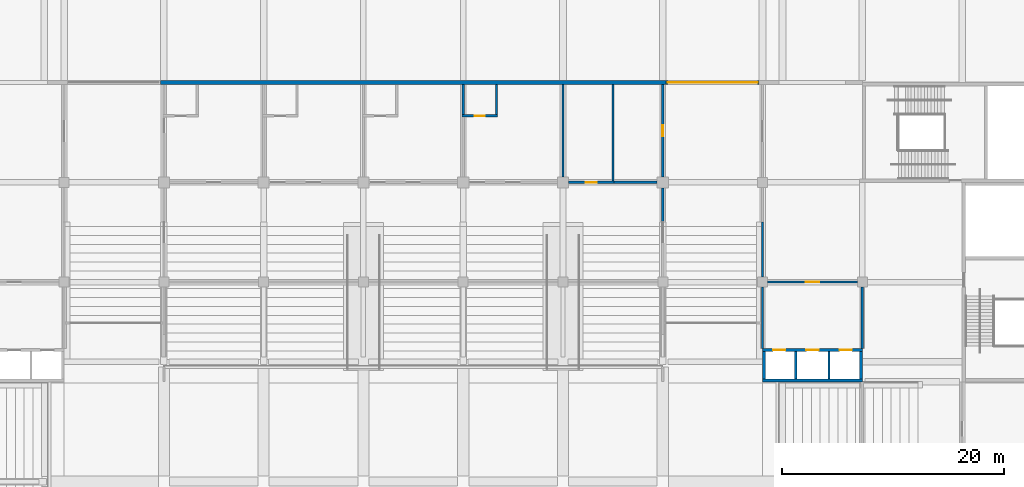
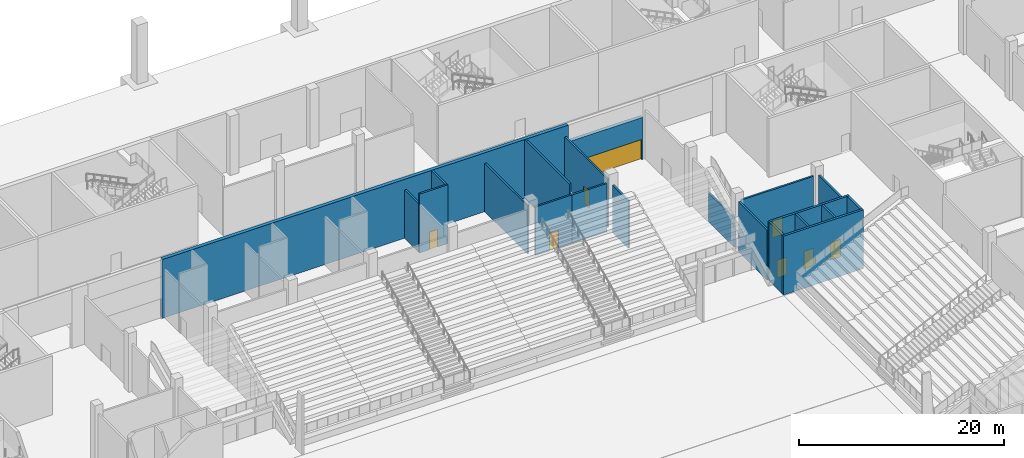
# One storey, part 36 of 92: 21 walls, 8 doors, 8 openings.
"""IFC4 building model written with IfcOpenShell, lengths in metres."""

import ifcopenshell
import ifcopenshell.guid

model = None  # the IFC model being written
_history = None  # IfcOwnerHistory: only IFC2X3 demands one
_inside = {}  # id of a spatial element -> (the spatial element, [elements in it])
_under = {}  # id of a project, library or spatial element -> (it, [spatial elements below it])
_declared = {}  # id of a project -> (the project, [libraries it declares])
_typed = {}  # id of a type object -> (the type object, [elements of that type])
_made_of = {}  # id of a material, layer set ... -> (it, [elements and type objects made of it])


def new_model(schema):
    """Start an empty IFC model of exactly this schema.

    Asked for "IFC4X3", IfcOpenShell would pick the latest addendum, in which some entities
    have other attributes; the version numbers below select the first issue.
    IFC2X3 requires an IfcOwnerHistory on every rooted entity: one is made here for all.
    """
    global model, _history
    if schema == "IFC4X3":
        model = ifcopenshell.file(schema_version=(4, 3, 0, 0))
    else:
        model = ifcopenshell.file(schema=schema)
    _inside.clear()
    _under.clear()
    _declared.clear()
    _typed.clear()
    _made_of.clear()
    _history = None
    if model.schema == "IFC2X3":
        org = make("IfcOrganization", Name="unknown")
        user = make(
            "IfcPersonAndOrganization",
            ThePerson=make("IfcPerson", FamilyName="unknown"),
            TheOrganization=org,
        )
        app = make(
            "IfcApplication",
            ApplicationDeveloper=org,
            Version="unknown",
            ApplicationFullName="unknown",
            ApplicationIdentifier="unknown",
        )
        _history = make(
            "IfcOwnerHistory",
            OwningUser=user,
            OwningApplication=app,
            ChangeAction="ADDED",
            CreationDate=0,
        )
    return model


def make(cls, **values):
    """One entity of the class cls with the attributes given. An attribute that is None is left unset."""
    return model.create_entity(
        cls, **{name: value for name, value in values.items() if value is not None}
    )


def rooted(cls, **values):
    """An entity with a GlobalId (a new one), such as an element, a storey or a relation."""
    return make(cls, GlobalId=ifcopenshell.guid.new(), OwnerHistory=_history, **values)


def si_unit(unit_type, name, prefix=None):
    """IfcSIUnit, for example si_unit("LENGTHUNIT", "METRE", prefix="MILLI")."""
    return make("IfcSIUnit", UnitType=unit_type, Prefix=prefix, Name=name)


def assignment(units):
    """IfcUnitAssignment: the units of a project."""
    return None if units is None else make("IfcUnitAssignment", Units=units)


def point(xyz):
    """IfcCartesianPoint."""
    return None if xyz is None else make("IfcCartesianPoint", Coordinates=xyz)


def direction(xyz):
    """IfcDirection."""
    return None if xyz is None else make("IfcDirection", DirectionRatios=xyz)


def frame(location, z_axis=None, x_axis=None):
    """IfcAxis2Placement3D, a coordinate frame: its origin and axes. An axis left out is left unset."""
    return make(
        "IfcAxis2Placement3D",
        Location=point(location),
        Axis=direction(z_axis),
        RefDirection=direction(x_axis),
    )


def frame_2d(location, x_axis=None):
    """IfcAxis2Placement2D, a coordinate frame in the plane: its origin and x axis."""
    return make(
        "IfcAxis2Placement2D", Location=point(location), RefDirection=direction(x_axis)
    )


def origin():
    """The frame at (0, 0, 0) with its axes left unset."""
    return frame((0.0, 0.0, 0.0))


def place(relative_to, where):
    """IfcLocalPlacement: puts the frame where relative to a parent placement (None: the world)."""
    return make(
        "IfcLocalPlacement", PlacementRelTo=relative_to, RelativePlacement=where
    )


def context(
    kind, dimensions, precision=None, world=None, true_north=None, identifier=None
):
    """IfcGeometricRepresentationContext, for example the 3D "Model" context."""
    return make(
        "IfcGeometricRepresentationContext",
        ContextIdentifier=identifier,
        ContextType=kind,
        CoordinateSpaceDimension=dimensions,
        Precision=precision,
        WorldCoordinateSystem=world,
        TrueNorth=true_north,
    )


def subcontext(parent, identifier, kind, view, scale=None):
    """IfcGeometricRepresentationSubContext, for example "Body" below "Model"."""
    return make(
        "IfcGeometricRepresentationSubContext",
        ContextIdentifier=identifier,
        ContextType=kind,
        ParentContext=parent,
        TargetScale=scale,
        TargetView=view,
    )


def project(units=None, contexts=None):
    """IfcProject with its units and contexts."""
    return rooted(
        "IfcProject",
        Name="project",
        RepresentationContexts=contexts,
        UnitsInContext=assignment(units),
    )


def spatial(cls, under=None, at=None, **own):
    """A site, building, storey or space (cls), placed at a placement, below another one or the project."""
    s = rooted(cls, ObjectPlacement=at, **own)
    if under is not None:
        _under.setdefault(under.id(), (under, []))[1].append(s)
    return s


def profile(cls, at=None, kind="AREA", **sizes):
    """A parametric profile (cls). Its sizes go by their IFC names, for example OverallWidth=200.0."""
    return make(cls, ProfileType=kind, Position=at, **sizes)


def rectangle(**sizes):
    """IfcRectangleProfileDef."""
    return profile("IfcRectangleProfileDef", **sizes)


def extrude(swept, where, along, depth):
    """IfcExtrudedAreaSolid: the profile swept, set in the frame where, extruded along a direction by depth."""
    return make(
        "IfcExtrudedAreaSolid",
        SweptArea=swept,
        Position=where,
        ExtrudedDirection=direction(along),
        Depth=depth,
    )


def shape(context_of_items, identifier, shape_type, items):
    """IfcShapeRepresentation: the items that make up one representation, for example the "Body"."""
    return make(
        "IfcShapeRepresentation",
        ContextOfItems=context_of_items,
        RepresentationIdentifier=identifier,
        RepresentationType=shape_type,
        Items=items,
    )


def material(Name=None, Category=None):
    """IfcMaterial."""
    return make("IfcMaterial", Name=Name, Category=Category)


def layer(
    of_material, thickness, ventilated=None, Name=None, Category=None, Priority=None
):
    """IfcMaterialLayer: one layer of a wall or slab, of a material (None: an air gap)."""
    return make(
        "IfcMaterialLayer",
        Material=of_material,
        LayerThickness=thickness,
        IsVentilated=ventilated,
        Name=Name,
        Category=Category,
        Priority=Priority,
    )


def layer_set(layers, Name=None):
    """IfcMaterialLayerSet."""
    return make("IfcMaterialLayerSet", MaterialLayers=layers, LayerSetName=Name)


def made_of(thing, what):
    """Note that an element or type object is made of a material, layer set ...; save() writes the relation."""
    if what is not None:
        _made_of.setdefault(what.id(), (what, []))[1].append(thing)
    return thing


def type_object(cls, material=None, **own):
    """A type object (cls), such as IfcWallType, which elements share."""
    return made_of(rooted(cls, **own), material)


def element(
    cls,
    number,
    at=None,
    inside=None,
    cuts=None,
    type_object=None,
    material=None,
    context=None,
    identifier="Body",
    shape_type=None,
    held_by="IfcProductDefinitionShape",
    body=None,
    shapes=None,
    **own,
):
    """One element of the class cls, such as IfcWall. Its Tag is "e" and its number.

    at: its placement. inside: the storey or other place that contains it. cuts: it is an
    opening in that element (IfcRelVoidsElement). A single representation is given by context,
    identifier, shape_type and body (its items); several are given by shapes. held_by: the class
    of the entity that holds the representations. save() writes the other relations.
    """
    e = rooted(cls, Tag="e%d" % number, ObjectPlacement=at, **own)
    if body is not None:
        shapes = [shape(context, identifier, shape_type, body)]
    if shapes is not None:
        e.Representation = make(held_by, Representations=shapes)
    if inside is not None:
        _inside.setdefault(inside.id(), (inside, []))[1].append(e)
    if cuts is not None:
        rooted(
            "IfcRelVoidsElement", RelatingBuildingElement=cuts, RelatedOpeningElement=e
        )
    if type_object is not None:
        _typed.setdefault(type_object.id(), (type_object, []))[1].append(e)
    return made_of(e, material)


def fill(opening, filler):
    """IfcRelFillsElement: the door or window that sits in an opening."""
    return rooted(
        "IfcRelFillsElement",
        RelatingOpeningElement=opening,
        RelatedBuildingElement=filler,
    )


def aggregate(whole, parts):
    """IfcRelAggregates: a whole, such as a stair, and the parts it consists of."""
    return rooted("IfcRelAggregates", RelatingObject=whole, RelatedObjects=parts)


def save(model, path):
    """Write the relations noted so far, then the file.

    IfcRelAggregates (storeys below a building ...), IfcRelContainedInSpatialStructure (elements
    in a storey), IfcRelDefinesByType, IfcRelAssociatesMaterial and IfcRelDeclares: one each for
    every whole, place, type object, material and project.
    """
    for whole, parts in _under.values():
        aggregate(whole, parts)
    for where, things in _inside.values():
        rooted(
            "IfcRelContainedInSpatialStructure",
            RelatedElements=things,
            RelatingStructure=where,
        )
    for kind, things in _typed.values():
        rooted("IfcRelDefinesByType", RelatedObjects=things, RelatingType=kind)
    for what, things in _made_of.values():
        rooted("IfcRelAssociatesMaterial", RelatedObjects=things, RelatingMaterial=what)
    for by, libraries in _declared.values():
        rooted("IfcRelDeclares", RelatingContext=by, RelatedDefinitions=libraries)
    model.write(path)


model = new_model("IFC4")

# Units and contexts
model_context = context("Model", 3, precision=1e-05, world=origin(), true_north=direction((0.0, 1.0)))
body_context = subcontext(model_context, "Body", "Model", "MODEL_VIEW")
ifc_project = project(units=[si_unit("LENGTHUNIT", "METRE"), si_unit("AREAUNIT", "SQUARE_METRE"), si_unit("VOLUMEUNIT", "CUBIC_METRE"), si_unit("PLANEANGLEUNIT", "RADIAN"), si_unit("MASSUNIT", "GRAM", prefix="KILO")], contexts=[model_context])

# Site, building, storey
site_placement = place(None, origin())
site = spatial("IfcSite", under=ifc_project, at=site_placement, CompositionType="ELEMENT")
building_placement = place(site_placement, origin())
building = spatial("IfcBuilding", under=site, at=building_placement, Name="Silverbay Arena", CompositionType="ELEMENT")
storey_placement = place(building_placement, origin())
storey = spatial("IfcBuildingStorey", under=building, at=storey_placement, Name="L00", CompositionType="ELEMENT", Elevation=0.0)

# Wall, opening, door
ifc_material_1 = material(Name="Concrete Grade C45", Category="concrete")
ifc_layer_1 = layer(ifc_material_1, 0.39990234375)
ifc_layer_set_1 = layer_set([ifc_layer_1], Name="Concrete Grade C45")
wall_type_1 = type_object("IfcWallType", Name="Bowl enclosure wall RC 400 EI 120", PredefinedType="SOLIDWALL", material=ifc_layer_set_1)
wall_1_placement = place(storey_placement, frame((153.300048828125, 126.0, 0.0), z_axis=(0.0, 0.0, 1.0), x_axis=(1.0, 0.0, 0.0)))
wall_1 = element("IfcWall", 1, at=wall_1_placement, inside=storey, type_object=wall_type_1, Name="tunnel floor tunnel NE", PredefinedType="SOLIDWALL", context=body_context, shape_type="SweptSolid", body=[
    extrude(rectangle(XDim=8.39990234375, YDim=0.39990234375, at=frame_2d((4.199951171875, 0.0))), origin(), (0.0, 0.0, 1.0), 5.0),
])
opening_1_placement = place(wall_1_placement, frame((0.14990234375, 0.0, 0.0)))
opening_1 = element("IfcOpeningElement", 2, at=opening_1_placement, cuts=wall_1, Name="Opening L00-227", PredefinedType="OPENING", context=body_context, shape_type="SweptSolid", body=[
    extrude(rectangle(XDim=8.10009765625, YDim=2.39990234375, at=frame_2d((4.050048828125, 1.199951171875))), frame((0.0, 0.2099609375, 0.0), z_axis=(0.0, -1.0, 0.0), x_axis=(1.0, 0.0, 0.0)), (0.0, 0.0, 1.0), 0.419921875),
])
ifc_material_2 = material(Name="Steel", Category="steel")
door_type_1 = type_object("IfcDoorType", Name="Fire door set 8100 x 2400 FD120S tunnel", OperationType="DOUBLE_DOOR_SINGLE_SWING", PredefinedType="DOOR", material=ifc_material_2)
door_1_placement = place(opening_1_placement, origin())
door_1 = element("IfcDoor", 3, at=door_1_placement, inside=storey, type_object=door_type_1, Name="Fire door set L00 tunnel floor tunnel NE", OperationType="DOUBLE_DOOR_SINGLE_SWING", OverallHeight=2.39990234375, OverallWidth=8.10009765625, PredefinedType="DOOR", context=body_context, shape_type="SweptSolid", body=[
    extrude(rectangle(XDim=8.10009765625, YDim=2.39990234375, at=frame_2d((4.050048828125, 1.199951171875))), frame((0.0, 0.02490234375, 0.0), z_axis=(0.0, -1.0, 0.0), x_axis=(1.0, 0.0, 0.0)), (0.0, 0.0, 1.0), 0.050048828125),
])
fill(opening_1, door_1)

# Walls
ifc_material_3 = material(Name="Concrete Grade C45", Category="concrete")
ifc_layer_2 = layer(ifc_material_3, 0.199951171875)
ifc_layer_set_2 = layer_set([ifc_layer_2], Name="Concrete Grade C45")
wall_type_2 = type_object("IfcWallType", Name="Lift shaft divider RC 200 EI 120", PredefinedType="SHEAR", material=ifc_layer_set_2)
for number, where, z_axis, x_axis, name in (
    (4, (165.0, 99.25, 0.0), (0.0, 0.0, 1.0), (0.0, 1.0, 0.0), "Lift shaft divider LB-NE L00 1"),
    (5, (168.0, 99.25, 0.0), (0.0, 0.0, 1.0), (0.0, 1.0, 0.0), "Lift shaft divider LB-NE L00 2"),
):
    element("IfcWall", number, at=place(storey_placement, frame(where, z_axis=z_axis, x_axis=x_axis)), inside=storey, type_object=wall_type_2, Name=name, PredefinedType="SHEAR", context=body_context, shape_type="SweptSolid", body=[
        extrude(rectangle(XDim=2.5, YDim=0.199951171875, at=frame_2d((1.25, 0.0))), origin(), (0.0, 0.0, 1.0), 7.0),
    ])

# Wall, openings, doors
ifc_material_4 = material(Name="Concrete Grade C45", Category="concrete")
ifc_layer_3 = layer(ifc_material_4, 0.25)
ifc_layer_set_3 = layer_set([ifc_layer_3], Name="Concrete Grade C45")
wall_type_3 = type_object("IfcWallType", Name="Lift shaft wall RC 250 EI 120", PredefinedType="SHEAR", material=ifc_layer_set_3)
wall_2_placement = place(storey_placement, frame((162.0, 101.875, 0.0), z_axis=(0.0, 0.0, 1.0), x_axis=(1.0, 0.0, 0.0)))
wall_2 = element("IfcWall", 6, at=wall_2_placement, inside=storey, type_object=wall_type_3, Name="Lift shaft wall LB-NE L00 landing side", PredefinedType="SHEAR", context=body_context, shape_type="SweptSolid", body=[
    extrude(rectangle(XDim=9.0, YDim=0.25, at=frame_2d((4.5, 0.0))), origin(), (0.0, 0.0, 1.0), 7.0),
])
opening_2_placement = place(wall_2_placement, frame((0.949951171875, 0.0, 0.0)))
opening_2 = element("IfcOpeningElement", 7, at=opening_2_placement, cuts=wall_2, Name="Opening L00-211", PredefinedType="OPENING", context=body_context, shape_type="SweptSolid", body=[
    extrude(rectangle(XDim=1.10009765625, YDim=2.10009765625, at=frame_2d((0.550048828125, 1.050048828125))), frame((0.0, 0.135009765625, 0.0), z_axis=(0.0, -1.0, 0.0), x_axis=(1.0, 0.0, 0.0)), (0.0, 0.0, 1.0), 0.27001953125),
])
opening_3_placement = place(wall_2_placement, frame((3.949951171875, 0.0, 0.0)))
opening_3 = element("IfcOpeningElement", 8, at=opening_3_placement, cuts=wall_2, Name="Opening L00-212", PredefinedType="OPENING", context=body_context, shape_type="SweptSolid", body=[
    extrude(rectangle(XDim=1.10009765625, YDim=2.10009765625, at=frame_2d((0.550048828125, 1.050048828125))), frame((0.0, 0.135009765625, 0.0), z_axis=(0.0, -1.0, 0.0), x_axis=(1.0, 0.0, 0.0)), (0.0, 0.0, 1.0), 0.27001953125),
])
opening_4_placement = place(wall_2_placement, frame((6.949951171875, 0.0, 0.0)))
opening_4 = element("IfcOpeningElement", 9, at=opening_4_placement, cuts=wall_2, Name="Opening L00-213", PredefinedType="OPENING", context=body_context, shape_type="SweptSolid", body=[
    extrude(rectangle(XDim=1.10009765625, YDim=2.10009765625, at=frame_2d((0.550048828125, 1.050048828125))), frame((0.0, 0.135009765625, 0.0), z_axis=(0.0, -1.0, 0.0), x_axis=(1.0, 0.0, 0.0)), (0.0, 0.0, 1.0), 0.27001953125),
])
ifc_material_5 = material(Name="Stainless steel", Category="steel")
door_type_2 = type_object("IfcDoorType", Name="LD1 lift landing door 1100 x 2100", OperationType="DOUBLE_DOOR_SLIDING", PredefinedType="DOOR", material=ifc_material_5)
door_2_placement = place(opening_2_placement, origin())
door_2 = element("IfcDoor", 10, at=door_2_placement, inside=storey, type_object=door_type_2, Name="Lift landing door LF12 L00", OperationType="DOUBLE_DOOR_SLIDING", OverallHeight=2.10009765625, OverallWidth=1.10009765625, PredefinedType="DOOR", context=body_context, shape_type="SweptSolid", body=[
    extrude(rectangle(XDim=1.10009765625, YDim=2.10009765625, at=frame_2d((0.550048828125, 1.050048828125))), frame((0.0, 0.02490234375, 0.0), z_axis=(0.0, -1.0, 0.0), x_axis=(1.0, 0.0, 0.0)), (0.0, 0.0, 1.0), 0.050048828125),
])
fill(opening_2, door_2)
door_3_placement = place(opening_3_placement, origin())
door_3 = element("IfcDoor", 11, at=door_3_placement, inside=storey, type_object=door_type_2, Name="Lift landing door LF13 L00", OperationType="DOUBLE_DOOR_SLIDING", OverallHeight=2.10009765625, OverallWidth=1.10009765625, PredefinedType="DOOR", context=body_context, shape_type="SweptSolid", body=[
    extrude(rectangle(XDim=1.10009765625, YDim=2.10009765625, at=frame_2d((0.550048828125, 1.050048828125))), frame((0.0, 0.02490234375, 0.0), z_axis=(0.0, -1.0, 0.0), x_axis=(1.0, 0.0, 0.0)), (0.0, 0.0, 1.0), 0.050048828125),
])
fill(opening_3, door_3)
door_4_placement = place(opening_4_placement, origin())
door_4 = element("IfcDoor", 12, at=door_4_placement, inside=storey, type_object=door_type_2, Name="Lift landing door LF14 L00", OperationType="DOUBLE_DOOR_SLIDING", OverallHeight=2.10009765625, OverallWidth=1.10009765625, PredefinedType="DOOR", context=body_context, shape_type="SweptSolid", body=[
    extrude(rectangle(XDim=1.10009765625, YDim=2.10009765625, at=frame_2d((0.550048828125, 1.050048828125))), frame((0.0, 0.02490234375, 0.0), z_axis=(0.0, -1.0, 0.0), x_axis=(1.0, 0.0, 0.0)), (0.0, 0.0, 1.0), 0.050048828125),
])
fill(opening_4, door_4)

# Walls
wall_3_placement = place(storey_placement, frame((162.0, 99.125, 0.0), z_axis=(0.0, 0.0, 1.0), x_axis=(1.0, 0.0, 0.0)))
element("IfcWall", 13, at=wall_3_placement, inside=storey, type_object=wall_type_3, Name="Lift shaft wall LB-NE L00 back", PredefinedType="SHEAR", context=body_context, shape_type="SweptSolid", body=[
    extrude(rectangle(XDim=9.0, YDim=0.25, at=frame_2d((4.5, 0.0))), origin(), (0.0, 0.0, 1.0), 7.0),
])
for number, where, z_axis, x_axis, name in (
    (14, (162.125, 99.25, 0.0), (0.0, 0.0, 1.0), (0.0, 1.0, 0.0), "Lift shaft wall LB-NE L00 end"),
    (15, (170.875, 99.25, 0.0), (0.0, 0.0, 1.0), (0.0, 1.0, 0.0), "Lift shaft wall LB-NE L00 end"),
):
    element("IfcWall", number, at=place(storey_placement, frame(where, z_axis=z_axis, x_axis=x_axis)), inside=storey, type_object=wall_type_3, Name=name, PredefinedType="SHEAR", context=body_context, shape_type="SweptSolid", body=[
        extrude(rectangle(XDim=2.5, YDim=0.25, at=frame_2d((1.25, 0.0))), origin(), (0.0, 0.0, 1.0), 7.0),
    ])

# Wall, opening, door
ifc_material_6 = material(Name="Masonry blockwork partition", Category="masonry")
ifc_layer_4 = layer(ifc_material_6, 0.199951171875)
ifc_layer_set_4 = layer_set([ifc_layer_4], Name="Masonry blockwork partition")
wall_type_4 = type_object("IfcWallType", Name="Partition 200 EI 120", PredefinedType="PARTITIONING", material=ifc_layer_set_4)
wall_4_placement = place(storey_placement, frame((162.449951171875, 108.0, 0.0), z_axis=(0.0, 0.0, 1.0), x_axis=(1.0, 0.0, 0.0)))
wall_4 = element("IfcWall", 16, at=wall_4_placement, inside=storey, type_object=wall_type_4, Name="Partition wall", PredefinedType="PARTITIONING", context=body_context, shape_type="SweptSolid", body=[
    extrude(rectangle(XDim=8.10009765625, YDim=0.199951171875, at=frame_2d((4.050048828125, 0.0))), origin(), (0.0, 0.0, 1.0), 5.75),
])
opening_5_placement = place(wall_4_placement, frame((3.449951171875, 0.0, 0.0)))
opening_5 = element("IfcOpeningElement", 17, at=opening_5_placement, cuts=wall_4, Name="Opening L00-020", PredefinedType="OPENING", context=body_context, shape_type="SweptSolid", body=[
    extrude(rectangle(XDim=1.199951171875, YDim=2.10009765625, at=frame_2d((0.60009765625, 1.050048828125))), frame((0.0, 0.10986328125, 0.0), z_axis=(0.0, -1.0, 0.0), x_axis=(1.0, 0.0, 0.0)), (0.0, 0.0, 1.0), 0.219970703125),
])
ifc_material_7 = material(Name="Steel faced timber", Category="steel")
door_type_3 = type_object("IfcDoorType", Name="Single leaf door 1200 x 2100 FD60", OperationType="SINGLE_SWING_LEFT", PredefinedType="DOOR", material=ifc_material_7)
door_5_placement = place(opening_5_placement, origin())
door_5 = element("IfcDoor", 18, at=door_5_placement, inside=storey, type_object=door_type_3, Name="Door L00-020", OperationType="SINGLE_SWING_RIGHT", OverallHeight=2.10009765625, OverallWidth=1.199951171875, PredefinedType="DOOR", context=body_context, shape_type="SweptSolid", body=[
    extrude(rectangle(XDim=1.199951171875, YDim=2.10009765625, at=frame_2d((0.60009765625, 1.050048828125))), frame((0.0, 0.02490234375, 0.0), z_axis=(0.0, -1.0, 0.0), x_axis=(1.0, 0.0, 0.0)), (0.0, 0.0, 1.0), 0.050048828125),
])
fill(opening_5, door_5)

wall_5_placement = place(storey_placement, frame((144.5, 117.0, 0.0), z_axis=(0.0, 0.0, 1.0), x_axis=(1.0, 0.0, 0.0)))
wall_5 = element("IfcWall", 19, at=wall_5_placement, inside=storey, type_object=wall_type_4, Name="Partition wall", PredefinedType="PARTITIONING", context=body_context, shape_type="SweptSolid", body=[
    extrude(rectangle(XDim=4.10009765625, YDim=0.199951171875, at=frame_2d((2.050048828125, 0.0))), origin(), (0.0, 0.0, 1.0), 5.75),
])
opening_6_placement = place(wall_5_placement, frame((1.550048828125, 0.0, 0.0)))
opening_6 = element("IfcOpeningElement", 20, at=opening_6_placement, cuts=wall_5, Name="Opening L00-040", PredefinedType="OPENING", context=body_context, shape_type="SweptSolid", body=[
    extrude(rectangle(XDim=1.0, YDim=2.10009765625, at=frame_2d((0.5, 1.050048828125))), frame((0.0, 0.10986328125, 0.0), z_axis=(0.0, -1.0, 0.0), x_axis=(1.0, 0.0, 0.0)), (0.0, 0.0, 1.0), 0.219970703125),
])
ifc_material_8 = material(Name="Steel faced timber", Category="steel")
door_type_4 = type_object("IfcDoorType", Name="Single leaf door 1000 x 2100 FD120", OperationType="SINGLE_SWING_LEFT", PredefinedType="DOOR", material=ifc_material_8)
door_6_placement = place(opening_6_placement, origin())
door_6 = element("IfcDoor", 21, at=door_6_placement, inside=storey, type_object=door_type_4, Name="Door L00-040", OperationType="SINGLE_SWING_RIGHT", OverallHeight=2.10009765625, OverallWidth=1.0, PredefinedType="DOOR", context=body_context, shape_type="SweptSolid", body=[
    extrude(rectangle(XDim=1.0, YDim=2.10009765625, at=frame_2d((0.5, 1.050048828125))), frame((0.0, 0.02490234375, 0.0), z_axis=(0.0, -1.0, 0.0), x_axis=(1.0, 0.0, 0.0)), (0.0, 0.0, 1.0), 0.050048828125),
])
fill(opening_6, door_6)

# Walls
wall_6_placement = place(storey_placement, frame((148.60009765625, 117.0, 0.0), z_axis=(0.0, 0.0, 1.0), x_axis=(1.0, 0.0, 0.0)))
element("IfcWall", 22, at=wall_6_placement, inside=storey, type_object=wall_type_4, Name="Partition wall", PredefinedType="PARTITIONING", context=body_context, shape_type="SweptSolid", body=[
    extrude(rectangle(XDim=3.89990234375, YDim=0.199951171875, at=frame_2d((1.949951171875, 0.0))), origin(), (0.0, 0.0, 1.0), 5.75),
])
wall_7_placement = place(storey_placement, frame((144.0, 117.5, 0.0), z_axis=(0.0, 0.0, 1.0), x_axis=(0.0, 1.0, 0.0)))
element("IfcWall", 23, at=wall_7_placement, inside=storey, type_object=wall_type_4, Name="Partition wall", PredefinedType="PARTITIONING", context=body_context, shape_type="SweptSolid", body=[
    extrude(rectangle(XDim=8.300048828125, YDim=0.199951171875, at=frame_2d((4.14990234375, 0.0))), origin(), (0.0, 0.0, 1.0), 5.75),
])

# Wall, opening, door
wall_8_placement = place(storey_placement, frame((153.0, 117.5, 0.0), z_axis=(0.0, 0.0, 1.0), x_axis=(0.0, 1.0, 0.0)))
wall_8 = element("IfcWall", 24, at=wall_8_placement, inside=storey, type_object=wall_type_4, Name="Partition wall", PredefinedType="PARTITIONING", context=body_context, shape_type="SweptSolid", body=[
    extrude(rectangle(XDim=8.300048828125, YDim=0.199951171875, at=frame_2d((4.14990234375, 0.0))), origin(), (0.0, 0.0, 1.0), 5.75),
])
opening_7_placement = place(wall_8_placement, frame((3.64990234375, 0.0, 0.0)))
opening_7 = element("IfcOpeningElement", 25, at=opening_7_placement, cuts=wall_8, Name="Opening L00-041", PredefinedType="OPENING", context=body_context, shape_type="SweptSolid", body=[
    extrude(rectangle(XDim=1.0, YDim=2.10009765625, at=frame_2d((0.5, 1.050048828125))), frame((0.0, 0.10986328125, 0.0), z_axis=(0.0, -1.0, 0.0), x_axis=(1.0, 0.0, 0.0)), (0.0, 0.0, 1.0), 0.219970703125),
])
door_7_placement = place(opening_7_placement, origin())
door_7 = element("IfcDoor", 26, at=door_7_placement, inside=storey, type_object=door_type_4, Name="Door L00-041", OperationType="SINGLE_SWING_LEFT", OverallHeight=2.10009765625, OverallWidth=1.0, PredefinedType="DOOR", context=body_context, shape_type="SweptSolid", body=[
    extrude(rectangle(XDim=1.0, YDim=2.10009765625, at=frame_2d((0.5, 1.050048828125))), frame((0.0, 0.02490234375, 0.0), z_axis=(0.0, -1.0, 0.0), x_axis=(1.0, 0.0, 0.0)), (0.0, 0.0, 1.0), 0.050048828125),
])
fill(opening_7, door_7)

# Walls
wall_9_placement = place(storey_placement, frame((162.0, 102.0, 0.0), z_axis=(0.0, 0.0, 1.0), x_axis=(0.0, 1.0, 0.0)))
element("IfcWall", 27, at=wall_9_placement, inside=storey, type_object=wall_type_4, Name="Partition wall", PredefinedType="PARTITIONING", context=body_context, shape_type="SweptSolid", body=[
    extrude(rectangle(XDim=5.550048828125, YDim=0.199951171875, at=frame_2d((2.77490234375, 0.0))), origin(), (0.0, 0.0, 1.0), 5.949951171875),
])
wall_10_placement = place(storey_placement, frame((162.0, 108.449951171875, 0.0), z_axis=(0.0, 0.0, 1.0), x_axis=(0.0, 1.0, 0.0)))
element("IfcWall", 28, at=wall_10_placement, inside=storey, type_object=wall_type_4, Name="Partition wall", PredefinedType="PARTITIONING", context=body_context, shape_type="SweptSolid", body=[
    extrude(rectangle(XDim=4.97900390625, YDim=0.199951171875, at=frame_2d((2.489501953125, 0.0))), origin(), (0.0, 0.0, 1.0), 3.43896484375),
])
wall_11_placement = place(storey_placement, frame((171.0, 102.0, 0.0), z_axis=(0.0, 0.0, 1.0), x_axis=(0.0, 1.0, 0.0)))
element("IfcWall", 29, at=wall_11_placement, inside=storey, type_object=wall_type_4, Name="Partition wall", PredefinedType="PARTITIONING", context=body_context, shape_type="SweptSolid", body=[
    extrude(rectangle(XDim=5.550048828125, YDim=0.199951171875, at=frame_2d((2.77490234375, 0.0))), origin(), (0.0, 0.0, 1.0), 5.949951171875),
])
wall_12_placement = place(storey_placement, frame((153.0, 113.428955078125, 0.0), z_axis=(0.0, 0.0, 1.0), x_axis=(0.0, 1.0, 0.0)))
element("IfcWall", 30, at=wall_12_placement, inside=storey, type_object=wall_type_4, Name="Partition wall", PredefinedType="PARTITIONING", context=body_context, shape_type="SweptSolid", body=[
    extrude(rectangle(XDim=3.071044921875, YDim=0.199951171875, at=frame_2d((1.53564453125, 0.0))), origin(), (0.0, 0.0, 1.0), 5.64990234375),
])
ifc_material_9 = material(Name="Gypsum board partition on steel studs", Category="steel")
ifc_layer_5 = layer(ifc_material_9, 0.199951171875)
ifc_layer_set_5 = layer_set([ifc_layer_5], Name="Gypsum board partition on steel studs")
wall_type_5 = type_object("IfcWallType", Name="Partition 200 EI 60", PredefinedType="PARTITIONING", material=ifc_layer_set_5)
wall_13_placement = place(storey_placement, frame((148.5, 117.10009765625, 0.0), z_axis=(0.0, 0.0, 1.0), x_axis=(0.0, 1.0, 0.0)))
element("IfcWall", 31, at=wall_13_placement, inside=storey, type_object=wall_type_5, Name="Partition wall", PredefinedType="PARTITIONING", context=body_context, shape_type="SweptSolid", body=[
    extrude(rectangle(XDim=8.699951171875, YDim=0.199951171875, at=frame_2d((4.35009765625, 0.0))), origin(), (0.0, 0.0, 1.0), 7.0),
])

# Wall, opening, door
ifc_material_10 = material(Name="Gypsum board partition on steel studs", Category="steel")
ifc_layer_6 = layer(ifc_material_10, 0.199951171875)
ifc_layer_set_6 = layer_set([ifc_layer_6], Name="Gypsum board partition on steel studs")
wall_type_6 = type_object("IfcWallType", Name="Partition 200 plain", PredefinedType="PARTITIONING", material=ifc_layer_set_6)
wall_14_placement = place(storey_placement, frame((134.89990234375, 123.0, 0.0), z_axis=(0.0, 0.0, 1.0), x_axis=(1.0, 0.0, 0.0)))
wall_14 = element("IfcWall", 32, at=wall_14_placement, inside=storey, type_object=wall_type_6, Name="Partition wall", PredefinedType="PARTITIONING", context=body_context, shape_type="SweptSolid", body=[
    extrude(rectangle(XDim=3.2001953125, YDim=0.199951171875, at=frame_2d((1.60009765625, 0.0))), origin(), (0.0, 0.0, 1.0), 7.0),
])
opening_8_placement = place(wall_14_placement, frame((1.14990234375, 0.0, 0.0)))
opening_8 = element("IfcOpeningElement", 33, at=opening_8_placement, cuts=wall_14, Name="Opening L00-039", PredefinedType="OPENING", context=body_context, shape_type="SweptSolid", body=[
    extrude(rectangle(XDim=0.89990234375, YDim=2.10009765625, at=frame_2d((0.449951171875, 1.050048828125))), frame((0.0, 0.10986328125, 0.0), z_axis=(0.0, -1.0, 0.0), x_axis=(1.0, 0.0, 0.0)), (0.0, 0.0, 1.0), 0.219970703125),
])
ifc_material_11 = material(Name="Timber", Category="wood")
door_type_5 = type_object("IfcDoorType", Name="Single leaf door 900 x 2100", OperationType="SINGLE_SWING_LEFT", PredefinedType="DOOR", material=ifc_material_11)
door_8_placement = place(opening_8_placement, origin())
door_8 = element("IfcDoor", 34, at=door_8_placement, inside=storey, type_object=door_type_5, Name="Door L00-039", OperationType="SINGLE_SWING_LEFT", OverallHeight=2.10009765625, OverallWidth=0.89990234375, PredefinedType="DOOR", context=body_context, shape_type="SweptSolid", body=[
    extrude(rectangle(XDim=0.89990234375, YDim=2.10009765625, at=frame_2d((0.449951171875, 1.050048828125))), frame((0.0, 0.02490234375, 0.0), z_axis=(0.0, -1.0, 0.0), x_axis=(1.0, 0.0, 0.0)), (0.0, 0.0, 1.0), 0.050048828125),
])
fill(opening_8, door_8)

# Walls
wall_15_placement = place(storey_placement, frame((135.0, 123.10009765625, 0.0), z_axis=(0.0, 0.0, 1.0), x_axis=(0.0, 1.0, 0.0)))
element("IfcWall", 35, at=wall_15_placement, inside=storey, type_object=wall_type_6, Name="Partition wall", PredefinedType="PARTITIONING", context=body_context, shape_type="SweptSolid", body=[
    extrude(rectangle(XDim=2.699951171875, YDim=0.199951171875, at=frame_2d((1.35009765625, 0.0))), origin(), (0.0, 0.0, 1.0), 5.75),
])
wall_16_placement = place(storey_placement, frame((138.0, 123.10009765625, 0.0), z_axis=(0.0, 0.0, 1.0), x_axis=(0.0, 1.0, 0.0)))
element("IfcWall", 36, at=wall_16_placement, inside=storey, type_object=wall_type_6, Name="Partition wall", PredefinedType="PARTITIONING", context=body_context, shape_type="SweptSolid", body=[
    extrude(rectangle(XDim=2.699951171875, YDim=0.199951171875, at=frame_2d((1.35009765625, 0.0))), origin(), (0.0, 0.0, 1.0), 7.0),
])
ifc_material_12 = material(Name="Concrete Grade C45", Category="concrete")
ifc_layer_7 = layer(ifc_material_12, 0.39990234375)
ifc_layer_set_7 = layer_set([ifc_layer_7], Name="Concrete Grade C45")
wall_type_7 = type_object("IfcWallType", Name="RC back wall 400 EI 120", PredefinedType="SOLIDWALL", material=ifc_layer_set_7)
wall_17_placement = place(storey_placement, frame((153.300048828125, 126.0, 0.0), z_axis=(0.0, 0.0, 1.0), x_axis=(-1.0, 0.0, 0.0)))
element("IfcWall", 37, at=wall_17_placement, inside=storey, type_object=wall_type_7, Name="Bowl back wall L00 10", PredefinedType="SOLIDWALL", context=body_context, shape_type="SweptSolid", body=[
    extrude(rectangle(XDim=45.60009765625, YDim=0.39990234375, at=frame_2d((22.800048828125, 0.0))), origin(), (0.0, 0.0, 1.0), 7.0),
])

save(model, "model.ifc")
